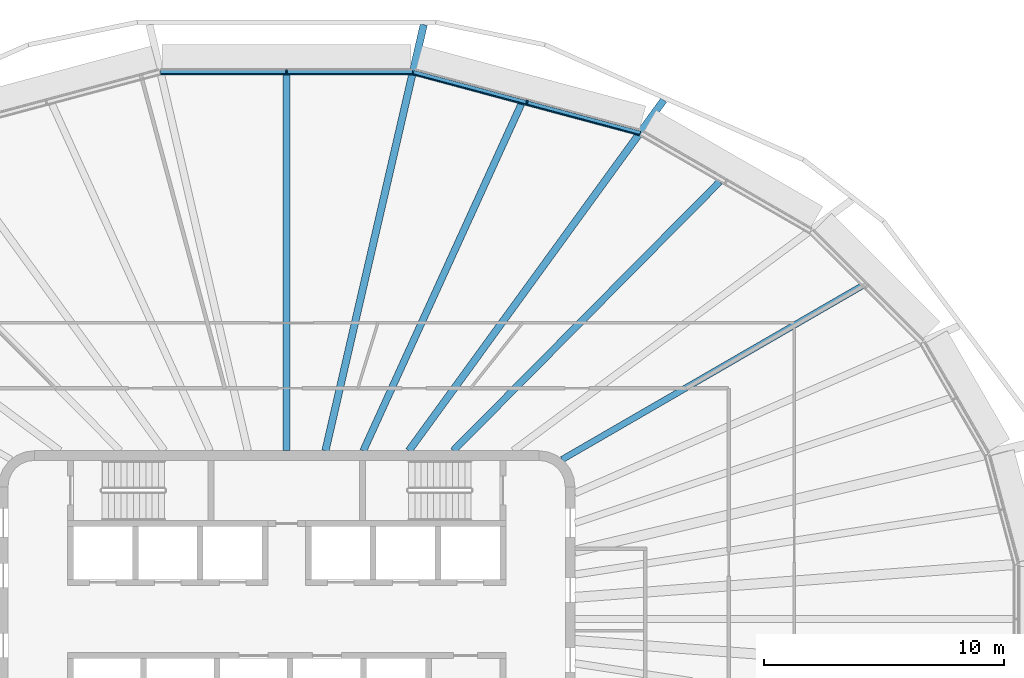
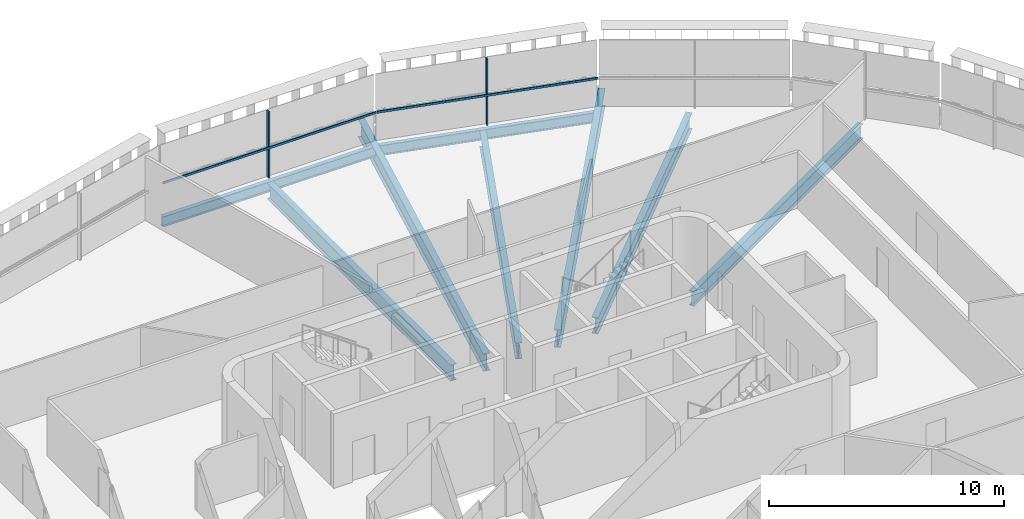
# One storey, part 6 of 19: 8 beams, 4 members, 2 elements without a shape of their own.
"""IFC4 building model written with IfcOpenShell, lengths in metres."""

import ifcopenshell
import ifcopenshell.guid

model = None  # the IFC model being written
_history = None  # IfcOwnerHistory: only IFC2X3 demands one
_inside = {}  # id of a spatial element -> (the spatial element, [elements in it])
_under = {}  # id of a project, library or spatial element -> (it, [spatial elements below it])
_declared = {}  # id of a project -> (the project, [libraries it declares])
_typed = {}  # id of a type object -> (the type object, [elements of that type])
_made_of = {}  # id of a material, layer set ... -> (it, [elements and type objects made of it])


def new_model(schema):
    """Start an empty IFC model of exactly this schema.

    Asked for "IFC4X3", IfcOpenShell would pick the latest addendum, in which some entities
    have other attributes; the version numbers below select the first issue.
    IFC2X3 requires an IfcOwnerHistory on every rooted entity: one is made here for all.
    """
    global model, _history
    if schema == "IFC4X3":
        model = ifcopenshell.file(schema_version=(4, 3, 0, 0))
    else:
        model = ifcopenshell.file(schema=schema)
    _inside.clear()
    _under.clear()
    _declared.clear()
    _typed.clear()
    _made_of.clear()
    _history = None
    if model.schema == "IFC2X3":
        org = make("IfcOrganization", Name="unknown")
        user = make(
            "IfcPersonAndOrganization",
            ThePerson=make("IfcPerson", FamilyName="unknown"),
            TheOrganization=org,
        )
        app = make(
            "IfcApplication",
            ApplicationDeveloper=org,
            Version="unknown",
            ApplicationFullName="unknown",
            ApplicationIdentifier="unknown",
        )
        _history = make(
            "IfcOwnerHistory",
            OwningUser=user,
            OwningApplication=app,
            ChangeAction="ADDED",
            CreationDate=0,
        )
    return model


def make(cls, **values):
    """One entity of the class cls with the attributes given. An attribute that is None is left unset."""
    return model.create_entity(
        cls, **{name: value for name, value in values.items() if value is not None}
    )


def rooted(cls, **values):
    """An entity with a GlobalId (a new one), such as an element, a storey or a relation."""
    return make(cls, GlobalId=ifcopenshell.guid.new(), OwnerHistory=_history, **values)


def si_unit(unit_type, name, prefix=None):
    """IfcSIUnit, for example si_unit("LENGTHUNIT", "METRE", prefix="MILLI")."""
    return make("IfcSIUnit", UnitType=unit_type, Prefix=prefix, Name=name)


def assignment(units):
    """IfcUnitAssignment: the units of a project."""
    return None if units is None else make("IfcUnitAssignment", Units=units)


def point(xyz):
    """IfcCartesianPoint."""
    return None if xyz is None else make("IfcCartesianPoint", Coordinates=xyz)


def direction(xyz):
    """IfcDirection."""
    return None if xyz is None else make("IfcDirection", DirectionRatios=xyz)


def frame(location, z_axis=None, x_axis=None):
    """IfcAxis2Placement3D, a coordinate frame: its origin and axes. An axis left out is left unset."""
    return make(
        "IfcAxis2Placement3D",
        Location=point(location),
        Axis=direction(z_axis),
        RefDirection=direction(x_axis),
    )


def frame_2d(location, x_axis=None):
    """IfcAxis2Placement2D, a coordinate frame in the plane: its origin and x axis."""
    return make(
        "IfcAxis2Placement2D", Location=point(location), RefDirection=direction(x_axis)
    )


def origin():
    """The frame at (0, 0, 0) with its axes left unset."""
    return frame((0.0, 0.0, 0.0))


def origin_2d():
    """The frame at (0, 0) in the plane with its x axis left unset."""
    return frame_2d((0.0, 0.0))


def place(relative_to, where):
    """IfcLocalPlacement: puts the frame where relative to a parent placement (None: the world)."""
    return make(
        "IfcLocalPlacement", PlacementRelTo=relative_to, RelativePlacement=where
    )


def context(
    kind, dimensions, precision=None, world=None, true_north=None, identifier=None
):
    """IfcGeometricRepresentationContext, for example the 3D "Model" context."""
    return make(
        "IfcGeometricRepresentationContext",
        ContextIdentifier=identifier,
        ContextType=kind,
        CoordinateSpaceDimension=dimensions,
        Precision=precision,
        WorldCoordinateSystem=world,
        TrueNorth=true_north,
    )


def subcontext(parent, identifier, kind, view, scale=None):
    """IfcGeometricRepresentationSubContext, for example "Body" below "Model"."""
    return make(
        "IfcGeometricRepresentationSubContext",
        ContextIdentifier=identifier,
        ContextType=kind,
        ParentContext=parent,
        TargetScale=scale,
        TargetView=view,
    )


def project(units=None, contexts=None):
    """IfcProject with its units and contexts."""
    return rooted(
        "IfcProject",
        Name="project",
        RepresentationContexts=contexts,
        UnitsInContext=assignment(units),
    )


def spatial(cls, under=None, at=None, **own):
    """A site, building, storey or space (cls), placed at a placement, below another one or the project."""
    s = rooted(cls, ObjectPlacement=at, **own)
    if under is not None:
        _under.setdefault(under.id(), (under, []))[1].append(s)
    return s


def profile(cls, at=None, kind="AREA", **sizes):
    """A parametric profile (cls). Its sizes go by their IFC names, for example OverallWidth=200.0."""
    return make(cls, ProfileType=kind, Position=at, **sizes)


def rectangle(**sizes):
    """IfcRectangleProfileDef."""
    return profile("IfcRectangleProfileDef", **sizes)


def i_section(**sizes):
    """IfcIShapeProfileDef."""
    return profile("IfcIShapeProfileDef", **sizes)


def extrude(swept, where, along, depth):
    """IfcExtrudedAreaSolid: the profile swept, set in the frame where, extruded along a direction by depth."""
    return make(
        "IfcExtrudedAreaSolid",
        SweptArea=swept,
        Position=where,
        ExtrudedDirection=direction(along),
        Depth=depth,
    )


def shape(context_of_items, identifier, shape_type, items):
    """IfcShapeRepresentation: the items that make up one representation, for example the "Body"."""
    return make(
        "IfcShapeRepresentation",
        ContextOfItems=context_of_items,
        RepresentationIdentifier=identifier,
        RepresentationType=shape_type,
        Items=items,
    )


def material(Name=None, Category=None):
    """IfcMaterial."""
    return make("IfcMaterial", Name=Name, Category=Category)


def layer(
    of_material, thickness, ventilated=None, Name=None, Category=None, Priority=None
):
    """IfcMaterialLayer: one layer of a wall or slab, of a material (None: an air gap)."""
    return make(
        "IfcMaterialLayer",
        Material=of_material,
        LayerThickness=thickness,
        IsVentilated=ventilated,
        Name=Name,
        Category=Category,
        Priority=Priority,
    )


def layer_set(layers, Name=None):
    """IfcMaterialLayerSet."""
    return make("IfcMaterialLayerSet", MaterialLayers=layers, LayerSetName=Name)


def material_profile(
    of_material, cross_section, Name=None, Category=None, Priority=None
):
    """IfcMaterialProfile: a cross section and its material."""
    return make(
        "IfcMaterialProfile",
        Name=Name,
        Material=of_material,
        Profile=cross_section,
        Priority=Priority,
        Category=Category,
    )


def profile_set(profiles, Name=None, composite=None):
    """IfcMaterialProfileSet."""
    return make(
        "IfcMaterialProfileSet",
        Name=Name,
        MaterialProfiles=profiles,
        CompositeProfile=composite,
    )


def made_of(thing, what):
    """Note that an element or type object is made of a material, layer set ...; save() writes the relation."""
    if what is not None:
        _made_of.setdefault(what.id(), (what, []))[1].append(thing)
    return thing


def type_object(cls, material=None, **own):
    """A type object (cls), such as IfcWallType, which elements share."""
    return made_of(rooted(cls, **own), material)


def element(
    cls,
    number,
    at=None,
    inside=None,
    cuts=None,
    type_object=None,
    material=None,
    context=None,
    identifier="Body",
    shape_type=None,
    held_by="IfcProductDefinitionShape",
    body=None,
    shapes=None,
    **own,
):
    """One element of the class cls, such as IfcWall. Its Tag is "e" and its number.

    at: its placement. inside: the storey or other place that contains it. cuts: it is an
    opening in that element (IfcRelVoidsElement). A single representation is given by context,
    identifier, shape_type and body (its items); several are given by shapes. held_by: the class
    of the entity that holds the representations. save() writes the other relations.
    """
    e = rooted(cls, Tag="e%d" % number, ObjectPlacement=at, **own)
    if body is not None:
        shapes = [shape(context, identifier, shape_type, body)]
    if shapes is not None:
        e.Representation = make(held_by, Representations=shapes)
    if inside is not None:
        _inside.setdefault(inside.id(), (inside, []))[1].append(e)
    if cuts is not None:
        rooted(
            "IfcRelVoidsElement", RelatingBuildingElement=cuts, RelatedOpeningElement=e
        )
    if type_object is not None:
        _typed.setdefault(type_object.id(), (type_object, []))[1].append(e)
    return made_of(e, material)


def aggregate(whole, parts):
    """IfcRelAggregates: a whole, such as a stair, and the parts it consists of."""
    return rooted("IfcRelAggregates", RelatingObject=whole, RelatedObjects=parts)


def save(model, path):
    """Write the relations noted so far, then the file.

    IfcRelAggregates (storeys below a building ...), IfcRelContainedInSpatialStructure (elements
    in a storey), IfcRelDefinesByType, IfcRelAssociatesMaterial and IfcRelDeclares: one each for
    every whole, place, type object, material and project.
    """
    for whole, parts in _under.values():
        aggregate(whole, parts)
    for where, things in _inside.values():
        rooted(
            "IfcRelContainedInSpatialStructure",
            RelatedElements=things,
            RelatingStructure=where,
        )
    for kind, things in _typed.values():
        rooted("IfcRelDefinesByType", RelatedObjects=things, RelatingType=kind)
    for what, things in _made_of.values():
        rooted("IfcRelAssociatesMaterial", RelatedObjects=things, RelatingMaterial=what)
    for by, libraries in _declared.values():
        rooted("IfcRelDeclares", RelatingContext=by, RelatedDefinitions=libraries)
    model.write(path)


model = new_model("IFC4")

# Units and contexts
model_context = context("Model", 3, precision=1e-05, world=origin(), true_north=direction((0.0, 1.0)))
body_context = subcontext(model_context, "Body", "Model", "MODEL_VIEW")
ifc_project = project(units=[si_unit("LENGTHUNIT", "METRE"), si_unit("AREAUNIT", "SQUARE_METRE"), si_unit("VOLUMEUNIT", "CUBIC_METRE"), si_unit("PLANEANGLEUNIT", "RADIAN"), si_unit("MASSUNIT", "GRAM", prefix="KILO")], contexts=[model_context])

# Site, building, storey
site_placement = place(None, origin())
site = spatial("IfcSite", under=ifc_project, at=site_placement, CompositionType="ELEMENT")
building_placement = place(site_placement, origin())
building = spatial("IfcBuilding", under=site, at=building_placement, Name="Sahrelin Media Tower", CompositionType="ELEMENT")
storey_placement = place(building_placement, frame((0.0, 0.0, 229.60009765625)))
storey = spatial("IfcBuildingStorey", under=building, at=storey_placement, Name="L49", CompositionType="ELEMENT", Elevation=229.60009765625)

# Beams
ifc_material_1 = material(Name="Steel S355", Category="steel")
ifc_material_profile_1 = material_profile(ifc_material_1, i_section(OverallWidth=0.208740234375, OverallDepth=0.5283203125, WebThickness=0.009521484375, FlangeThickness=0.01318359375, FilletRadius=0.0126953125, at=origin_2d()), Name="UB 533x210x82")
ifc_profile_set_1 = profile_set([ifc_material_profile_1], Name="Steel S355")
beam_type_1 = type_object("IfcBeamType", Name="Edge beam EB6", PredefinedType="BEAM", material=ifc_profile_set_1)
beam_1_placement = place(storey_placement, frame((-5.24658203125, 22.73388671875, -0.414306640625), z_axis=(1.0, 0.0, 0.0), x_axis=(0.0, 1.0, 0.0)))
element("IfcBeam", 1, at=beam_1_placement, inside=storey, type_object=beam_type_1, Name="Edge beam L49-15", PredefinedType="BEAM", context=body_context, shape_type="SweptSolid", body=[
    extrude(i_section(OverallWidth=0.208740234375, OverallDepth=0.5283203125, WebThickness=0.009521484375, FlangeThickness=0.01318359375, FilletRadius=0.0126953125, at=origin_2d()), origin(), (0.0, 0.0, 1.0), 10.4931640625),
])
beam_2_placement = place(storey_placement, frame((5.275146484375, 22.730224609375, -0.414306640625), z_axis=(0.965927302577, -0.258813535459, 0.0), x_axis=(0.258813535459, 0.965927302577, 0.0)))
element("IfcBeam", 2, at=beam_2_placement, inside=storey, type_object=beam_type_1, Name="Edge beam L49-16", PredefinedType="BEAM", context=body_context, shape_type="SweptSolid", body=[
    extrude(i_section(OverallWidth=0.208740234375, OverallDepth=0.5283203125, WebThickness=0.009521484375, FlangeThickness=0.01318359375, FilletRadius=0.0126953125, at=origin_2d()), origin(), (0.0, 0.0, 1.0), 9.768798828125),
])

# Curtain wall, member
ifc_material_2 = material(Name="Champagne anodised aluminium 6063-T6", Category="aluminium")
ifc_layer = layer(ifc_material_2, 0.14990234375)
ifc_layer_set = layer_set([ifc_layer], Name="Tower ribbon curtain wall")
curtain_wall_type = type_object("IfcCurtainWallType", Name="Tower ribbon curtain wall", PredefinedType="NOTDEFINED", material=ifc_layer_set)
curtain_wall_1_placement = place(storey_placement, frame((10.031982421875, 21.61083984375, 0.0), z_axis=(0.0, 0.0, 1.0), x_axis=(1.0, 0.0, 0.0)))
curtain_wall_1 = element("IfcCurtainWall", 3, at=curtain_wall_1_placement, inside=storey, type_object=curtain_wall_type, Name="L49:CW:L49-05", PredefinedType="NOTDEFINED")
ifc_material_profile_2 = material_profile(ifc_material_2, rectangle(XDim=0.06005859375, YDim=0.175048828125, at=origin_2d()), Name="Mullion 60x175")
ifc_profile_set_2 = profile_set([ifc_material_profile_2], Name="Champagne anodised aluminium 6063-T6")
member_type_1 = type_object("IfcMemberType", Name="Mullion 60x175 CW1B", PredefinedType="MULLION", material=ifc_profile_set_2)
member_1_placement = place(storey_placement, frame((10.004150390625, 21.507080078125, 0.0), z_axis=(0.0, 0.0, 1.0), x_axis=(-0.965925826289, 0.258819045103, 0.0)))
member_1 = element("IfcMember", 4, at=member_1_placement, type_object=member_type_1, Name="L49:CWM:L49-05", PredefinedType="MULLION", context=body_context, shape_type="SweptSolid", body=[
    extrude(rectangle(XDim=0.06005859375, YDim=0.175048828125, at=origin_2d()), origin(), (0.0, 0.0, 1.0), 3.448486328125),
])

curtain_wall_2_placement = place(storey_placement, frame((0.0, 22.884033203125, 0.0), z_axis=(0.0, 0.0, 1.0), x_axis=(1.0, 0.0, 0.0)))
curtain_wall_2 = element("IfcCurtainWall", 5, at=curtain_wall_2_placement, inside=storey, type_object=curtain_wall_type, Name="L49:CW:L49-06", PredefinedType="NOTDEFINED")
member_2_placement = place(storey_placement, frame((0.0, 22.776611328125, 0.0), z_axis=(0.0, 0.0, 1.0), x_axis=(-1.0, 0.0, 0.0)))
member_2 = element("IfcMember", 6, at=member_2_placement, type_object=member_type_1, Name="L49:CWM:L49-06", PredefinedType="MULLION", context=body_context, shape_type="SweptSolid", body=[
    extrude(rectangle(XDim=0.06005859375, YDim=0.175048828125, at=origin_2d()), origin(), (0.0, 0.0, 1.0), 3.448486328125),
])

# Beams
ifc_material_profile_3 = material_profile(ifc_material_1, i_section(OverallWidth=0.30322265625, OverallDepth=0.903076171875, WebThickness=0.01513671875, FlangeThickness=0.020263671875, FilletRadius=0.01904296875, at=origin_2d()), Name="UB 914x305x201")
ifc_profile_set_3 = profile_set([ifc_material_profile_3], Name="Steel S355")
beam_type_2 = type_object("IfcBeamType", Name="Radial primary beam PB11", PredefinedType="BEAM", material=ifc_profile_set_3)
beam_3_placement = place(storey_placement, frame((5.088134765625, 7.0, -0.6015625), z_axis=(0.587961672332, 0.808888788319, 0.0), x_axis=(-0.808888788319, 0.587961672332, 0.0)))
element("IfcBeam", 7, at=beam_3_placement, inside=storey, type_object=beam_type_2, Name="Radial beam L49-05", PredefinedType="BEAM", context=body_context, shape_type="SweptSolid", body=[
    extrude(i_section(OverallWidth=0.30322265625, OverallDepth=0.903076171875, WebThickness=0.01513671875, FlangeThickness=0.020263671875, FilletRadius=0.01904296875, at=origin_2d()), origin(), (0.0, 0.0, 1.0), 18.04150390625),
])
beam_4_placement = place(storey_placement, frame((1.615234375, 7.0, -0.6015625), z_axis=(0.224863425005, 0.974390291462, 0.0), x_axis=(-0.974390291462, 0.224863425005, 0.0)))
element("IfcBeam", 8, at=beam_4_placement, inside=storey, type_object=beam_type_2, Name="Radial beam L49-06", PredefinedType="BEAM", context=body_context, shape_type="SweptSolid", body=[
    extrude(i_section(OverallWidth=0.30322265625, OverallDepth=0.903076171875, WebThickness=0.01513671875, FlangeThickness=0.020263671875, FilletRadius=0.01904296875, at=origin_2d()), origin(), (0.0, 0.0, 1.0), 18.2021484375),
])
ifc_material_profile_4 = material_profile(ifc_material_1, i_section(OverallWidth=0.291748046875, OverallDepth=0.8349609375, WebThickness=0.013916015625, FlangeThickness=0.018798828125, FilletRadius=0.017822265625, at=origin_2d()), Name="UB 838x292x176")
ifc_profile_set_4 = profile_set([ifc_material_profile_4], Name="Steel S355")
beam_type_3 = type_object("IfcBeamType", Name="Radial secondary beam SB10", PredefinedType="BEAM", material=ifc_profile_set_4)
beam_5_placement = place(storey_placement, frame((6.933837890625, 7.0, -0.567626953125), z_axis=(0.703742345505, 0.710455284408, 0.0), x_axis=(-0.710455284408, 0.703742345505, 0.0)))
element("IfcBeam", 9, at=beam_5_placement, inside=storey, type_object=beam_type_3, Name="Secondary beam L49-04", PredefinedType="BEAM", context=body_context, shape_type="SweptSolid", body=[
    extrude(i_section(OverallWidth=0.291748046875, OverallDepth=0.8349609375, WebThickness=0.013916015625, FlangeThickness=0.018798828125, FilletRadius=0.017822265625, at=origin_2d()), origin(), (0.0, 0.0, 1.0), 15.74755859375),
])
beam_6_placement = place(storey_placement, frame((3.190673828125, 7.0, -0.567626953125), z_axis=(0.414737127923, 0.90994126993, 0.0), x_axis=(-0.90994126993, 0.414737127923, 0.0)))
element("IfcBeam", 10, at=beam_6_placement, inside=storey, type_object=beam_type_3, Name="Secondary beam L49-05", PredefinedType="BEAM", context=body_context, shape_type="SweptSolid", body=[
    extrude(i_section(OverallWidth=0.291748046875, OverallDepth=0.8349609375, WebThickness=0.013916015625, FlangeThickness=0.018798828125, FilletRadius=0.017822265625, at=origin_2d()), origin(), (0.0, 0.0, 1.0), 15.846923828125),
])
beam_7_placement = place(storey_placement, frame((0.0, 7.0, -0.567626953125), z_axis=(0.0, 1.0, 0.0), x_axis=(-1.0, 0.0, 0.0)))
element("IfcBeam", 11, at=beam_7_placement, inside=storey, type_object=beam_type_3, Name="Secondary beam L49-06", PredefinedType="BEAM", context=body_context, shape_type="SweptSolid", body=[
    extrude(i_section(OverallWidth=0.291748046875, OverallDepth=0.8349609375, WebThickness=0.013916015625, FlangeThickness=0.018798828125, FilletRadius=0.017822265625, at=origin_2d()), origin(), (0.0, 0.0, 1.0), 15.629638671875),
])
ifc_material_profile_5 = material_profile(ifc_material_1, i_section(OverallWidth=0.26513671875, OverallDepth=0.75390625, WebThickness=0.0126953125, FlangeThickness=0.017578125, FilletRadius=0.0166015625, at=origin_2d()), Name="UB 762x267x147")
ifc_profile_set_5 = profile_set([ifc_material_profile_5], Name="Steel S355")
beam_type_4 = type_object("IfcBeamType", Name="Radial secondary beam SB9", PredefinedType="BEAM", material=ifc_profile_set_5)
beam_8_placement = place(storey_placement, frame((11.464599609375, 6.63427734375, -0.527099609375), z_axis=(0.8655283248, 0.500859979405, 0.0), x_axis=(-0.500859979405, 0.8655283248, 0.0)))
element("IfcBeam", 12, at=beam_8_placement, inside=storey, type_object=beam_type_4, Name="Secondary beam L49-03", PredefinedType="BEAM", context=body_context, shape_type="SweptSolid", body=[
    extrude(i_section(OverallWidth=0.26513671875, OverallDepth=0.75390625, WebThickness=0.0126953125, FlangeThickness=0.017578125, FilletRadius=0.0166015625, at=origin_2d()), origin(), (0.0, 0.0, 1.0), 14.41259765625),
])

# Member
ifc_material_profile_6 = material_profile(ifc_material_2, rectangle(XDim=0.050048828125, YDim=0.110107421875, at=origin_2d()), Name="Transom 50x110")
ifc_profile_set_6 = profile_set([ifc_material_profile_6], Name="Champagne anodised aluminium 6063-T6")
member_type_2 = type_object("IfcMemberType", Name="Transom 50x110 CW1B", PredefinedType="USERDEFINED", material=ifc_profile_set_6)
member_3_placement = place(storey_placement, frame((14.677734375, 20.13818359375, 1.599853515625), z_axis=(-0.965917944543, 0.25884845839, 0.0), x_axis=(-0.25884845839, -0.965917944543, 0.0)))
member_3 = element("IfcMember", 13, at=member_3_placement, type_object=member_type_2, Name="L49:CWT:L49-05", ObjectType="TRANSOM", PredefinedType="USERDEFINED", context=body_context, shape_type="SweptSolid", body=[
    extrude(rectangle(XDim=0.050048828125, YDim=0.110107421875, at=origin_2d()), origin(), (0.0, 0.0, 1.0), 9.7373046875),
])

aggregate(curtain_wall_1, [member_1, member_3])

member_4_placement = place(storey_placement, frame((5.230712890625, 22.6640625, 1.599853515625), z_axis=(-1.0, 0.0, 0.0), x_axis=(0.0, -1.0, 0.0)))
member_4 = element("IfcMember", 14, at=member_4_placement, type_object=member_type_2, Name="L49:CWT:L49-06", ObjectType="TRANSOM", PredefinedType="USERDEFINED", context=body_context, shape_type="SweptSolid", body=[
    extrude(rectangle(XDim=0.050048828125, YDim=0.110107421875, at=origin_2d()), origin(), (0.0, 0.0, 1.0), 10.46142578125),
])

aggregate(curtain_wall_2, [member_2, member_4])

save(model, "model.ifc")
